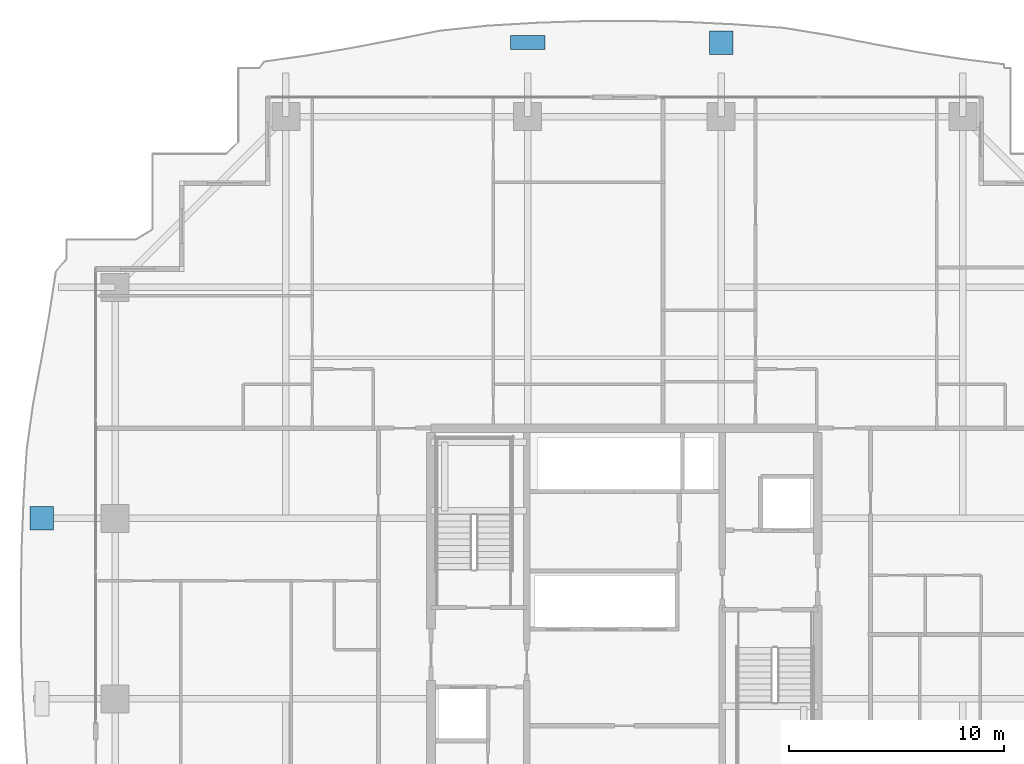
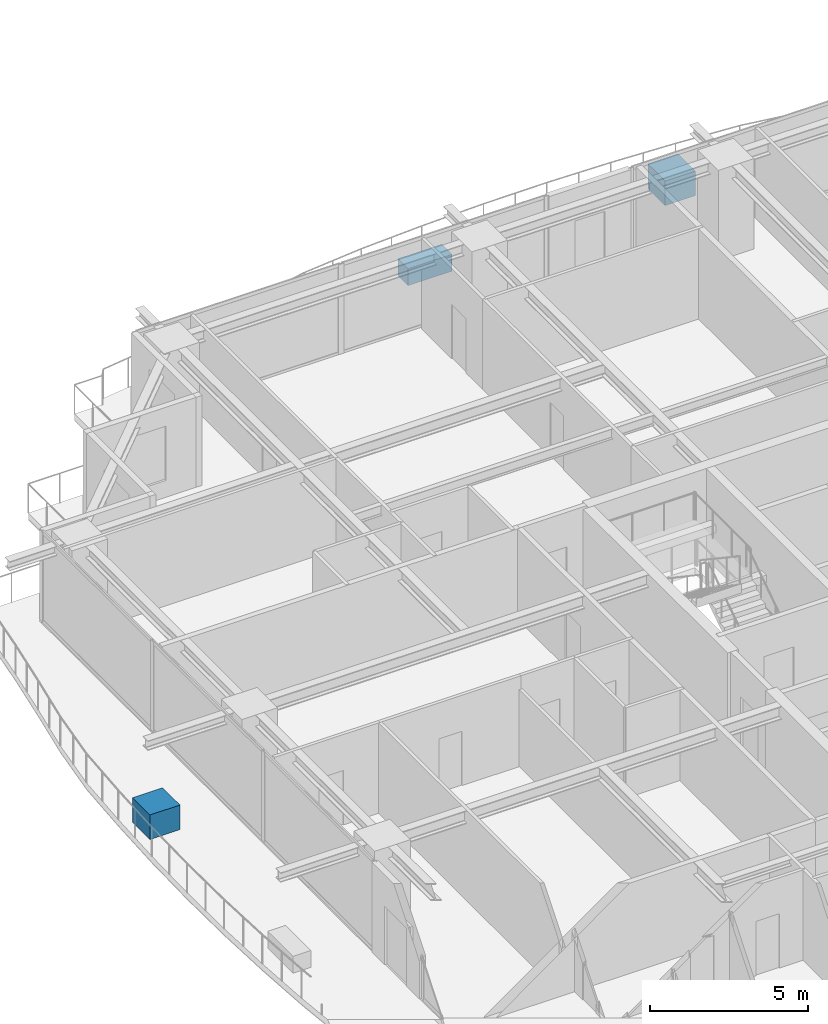
# One storey, part 32 of 38: 3 discrete accessories.
"""IFC4 building model written with IfcOpenShell, lengths in metres."""

from ifc_helpers import new_model, si_unit, direction, frame, origin, origin_2d, place, context, subcontext, project, spatial, rectangle, extrude, source, transform, mapped, material, type_object, element, save


model = new_model("IFC4")

# Units and contexts
model_context = context("Model", 3, precision=1e-05, world=origin(), true_north=direction((0.0, 1.0)))
body_context = subcontext(model_context, "Body", "Model", "MODEL_VIEW")
ifc_project = project(units=[si_unit("LENGTHUNIT", "METRE"), si_unit("AREAUNIT", "SQUARE_METRE"), si_unit("VOLUMEUNIT", "CUBIC_METRE"), si_unit("PLANEANGLEUNIT", "RADIAN"), si_unit("MASSUNIT", "GRAM", prefix="KILO")], contexts=[model_context])

# Site, building, storey
site_placement = place(None, origin())
site = spatial("IfcSite", under=ifc_project, at=site_placement, CompositionType="ELEMENT")
building_placement = place(site_placement, origin())
building = spatial("IfcBuilding", under=site, at=building_placement, Name="Serunith Strait Residences", CompositionType="ELEMENT")
storey_placement = place(building_placement, frame((0.0, 0.0, 183.89990234375)))
storey = spatial("IfcBuildingStorey", under=building, at=storey_placement, Name="L46", CompositionType="ELEMENT", Elevation=183.89990234375)

# Discrete accessories
ifc_material_1 = material(Name="GFRC Root-Anchored Structural Planter")
discrete_accessory_type_1 = type_object("IfcDiscreteAccessoryType", Name="ACC-PLANTER-TREE", PredefinedType="USERDEFINED", material=ifc_material_1)
shared_shape_1 = source(origin(), body_context, "Body", "SweptSolid", [
    extrude(rectangle(XDim=1.10009765625, YDim=1.10009765625, at=origin_2d()), origin(), (0.0, 0.0, 1.0), 0.949951171875),
])
for number, where, z_axis, x_axis, name in (
    (1, (36.89990234375, 51.533203125, -0.0498046875), (0.0, 0.0, 1.0), (-1.0, 0.0, 0.0), "L46 Vertical-Forest Tree Planter 07"),
    (2, (5.294189453125, 29.39990234375, -0.0498046875), (0.0, 0.0, 1.0), (0.0, -1.0, 0.0), "L46 Vertical-Forest Tree Planter 15"),
):
    element("IfcDiscreteAccessory", number, at=place(storey_placement, frame(where, z_axis=z_axis, x_axis=x_axis)), inside=storey, type_object=discrete_accessory_type_1, Name=name, ObjectType="PLANTER", PredefinedType="USERDEFINED", context=body_context, shape_type="MappedRepresentation", body=[
        mapped(shared_shape_1, transform((0.0, 0.0, 0.0), scale=1.0)),
    ])
ifc_material_2 = material(Name="GFRC Irrigated Shrub Trough Planter")
discrete_accessory_type_2 = type_object("IfcDiscreteAccessoryType", Name="ACC-PLANTER-SHRUB", PredefinedType="USERDEFINED", material=ifc_material_2)
shared_shape_2 = source(origin(), body_context, "Body", "SweptSolid", [
    extrude(rectangle(XDim=1.60009765625, YDim=0.64990234375, at=origin_2d()), origin(), (0.0, 0.0, 1.0), 0.64990234375),
])
discrete_accessory_placement = place(storey_placement, frame((27.89990234375, 51.5517578125, -0.0498046875), z_axis=(0.0, 0.0, 1.0), x_axis=(-1.0, 0.0, 0.0)))
element("IfcDiscreteAccessory", 3, at=discrete_accessory_placement, inside=storey, type_object=discrete_accessory_type_2, Name="L46 Vertical-Forest Shrub Planter 06", ObjectType="PLANTER", PredefinedType="USERDEFINED", context=body_context, shape_type="MappedRepresentation", body=[
    mapped(shared_shape_2, transform((0.0, 0.0, 0.0), scale=1.0)),
])

save(model, "model.ifc")
